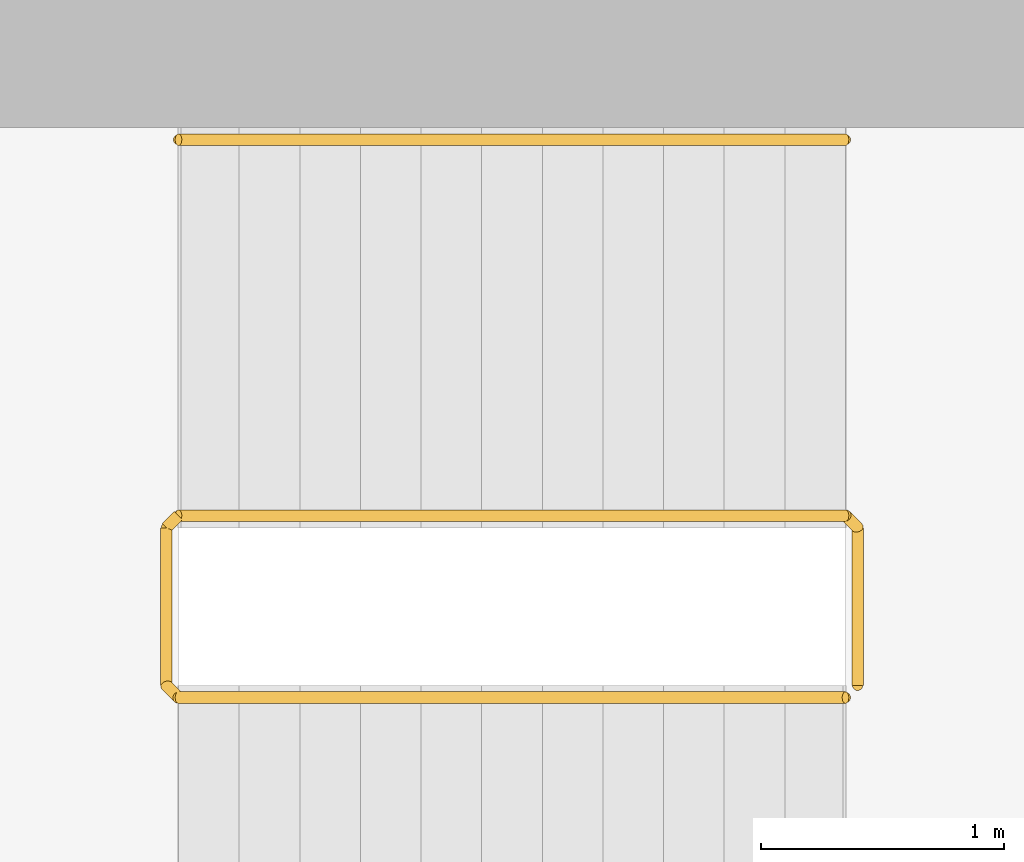
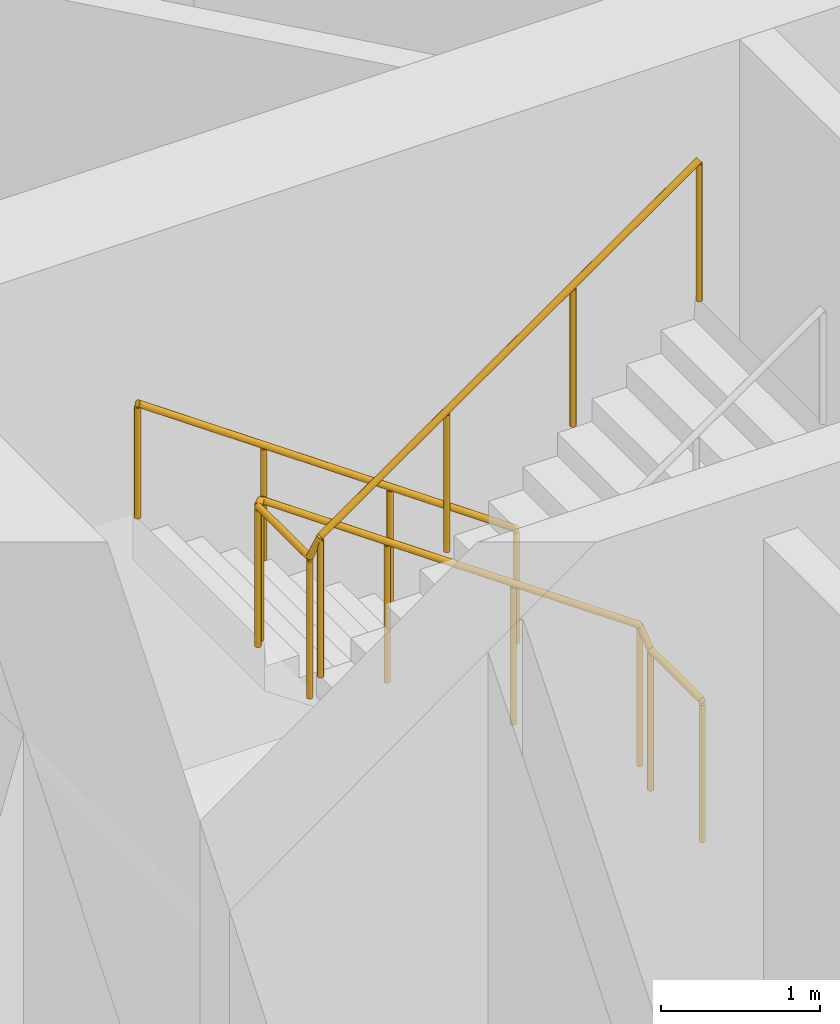
# One storey, part 13 of 13: 2 railings.
"""IFC4 building model written with IfcOpenShell, lengths in metres."""

from ifc_helpers import new_model, si_unit, direction, frame, origin, origin_2d, place, context, subcontext, project, spatial, circle, extrude, material, type_object, element, save


model = new_model("IFC4")

# Units and contexts
model_context = context("Model", 3, precision=1e-05, world=origin(), true_north=direction((0.0, 1.0)))
body_context = subcontext(model_context, "Body", "Model", "MODEL_VIEW")
ifc_project = project(units=[si_unit("LENGTHUNIT", "METRE"), si_unit("AREAUNIT", "SQUARE_METRE"), si_unit("VOLUMEUNIT", "CUBIC_METRE"), si_unit("PLANEANGLEUNIT", "RADIAN"), si_unit("MASSUNIT", "GRAM", prefix="KILO")], contexts=[model_context])

# Site, building, storey
site_placement = place(None, origin())
site = spatial("IfcSite", under=ifc_project, at=site_placement, CompositionType="ELEMENT")
building_placement = place(site_placement, origin())
building = spatial("IfcBuilding", under=site, at=building_placement, Name="Maasbend Ring Residences", CompositionType="ELEMENT")
storey_placement = place(building_placement, frame((0.0, 0.0, 14.10009765625)))
storey = spatial("IfcBuildingStorey", under=building, at=storey_placement, Name="L03", CompositionType="ELEMENT", Elevation=14.10009765625)

# Railings
ifc_material_1 = material(Name="Stainless steel 316", Category="steel")
railing_type_1 = type_object("IfcRailingType", Name="STAIR GUARD 1100", PredefinedType="GUARDRAIL", material=ifc_material_1)
railing_1_placement = place(storey_placement, frame((13.60009765625, 6.300048828125, 0.0)))
element("IfcRailing", 1, at=railing_1_placement, inside=storey, type_object=railing_type_1, Name="L03 ST-E1 stair guard 1", PredefinedType="GUARDRAIL", context=body_context, shape_type="SweptSolid", body=[
    extrude(circle(Radius=0.02392578125, at=origin_2d()), frame((0.0, 0.0, 1.076171875), z_axis=(0.0, 1.0, 0.0), x_axis=(-1.0, 0.0, 0.0)), (0.0, 0.0, 1.0), 0.64990234375),
    extrude(circle(Radius=0.02392578125, at=origin_2d()), frame((0.0, 0.64990234375, 1.076171875), z_axis=(-0.265383341853, 0.265383341853, 0.926899867156), x_axis=(-0.707106781187, -0.707106781187, 0.0)), (0.0, 0.0, 1.0), 0.1884765625),
    extrude(circle(Radius=0.02392578125, at=origin_2d()), frame((-0.050048828125, 0.699951171875, 1.2509765625), z_axis=(-0.819225086817, 0.0, 0.573472106672), x_axis=(0.0, -1.0, 0.0)), (0.0, 0.0, 1.0), 3.35693359375),
    extrude(circle(Radius=0.02392578125, at=origin_2d()), frame((-2.800048828125, 0.699951171875, 3.17578125), z_axis=(-0.707106781187, -0.707106781187, 0.0), x_axis=(0.707106781187, -0.707106781187, 0.0)), (0.0, 0.0, 1.0), 0.07080078125),
    extrude(circle(Radius=0.02392578125, at=origin_2d()), frame((-2.85009765625, 0.64990234375, 3.17578125), z_axis=(0.0, -1.0, 0.0), x_axis=(1.0, 0.0, 0.0)), (0.0, 0.0, 1.0), 0.64990234375),
    extrude(circle(Radius=0.02392578125, at=origin_2d()), frame((-2.85009765625, 0.0, 3.17578125), z_axis=(0.265065253269, -0.265065253269, 0.927081885822), x_axis=(0.707106781187, 0.707106781187, 0.0)), (0.0, 0.0, 1.0), 0.188720703125),
    extrude(circle(Radius=0.02392578125, at=origin_2d()), frame((-2.800048828125, -0.050048828125, 3.35107421875), z_axis=(0.819225086817, 0.0, 0.573472106672), x_axis=(0.0, 1.0, 0.0)), (0.0, 0.0, 1.0), 3.35693359375),
    extrude(circle(Radius=0.02099609375, at=origin_2d()), origin(), (0.0, 0.0, 1.0), 1.052001953125),
    extrude(circle(Radius=0.02099609375, at=origin_2d()), frame((0.0, 0.64990234375, 0.0)), (0.0, 0.0, 1.0), 1.052001953125),
    extrude(circle(Radius=0.02099609375, at=origin_2d()), frame((-0.050048828125, 0.699951171875, 0.1748046875)), (0.0, 0.0, 1.0), 1.052001953125),
    extrude(circle(Radius=0.02099609375, at=origin_2d()), frame((-0.966796875, 0.699951171875, 0.81640625)), (0.0, 0.0, 1.0), 1.052001953125),
    extrude(circle(Radius=0.02099609375, at=origin_2d()), frame((-1.88330078125, 0.699951171875, 1.458251953125)), (0.0, 0.0, 1.0), 1.052001953125),
    extrude(circle(Radius=0.02099609375, at=origin_2d()), frame((-2.800048828125, 0.699951171875, 2.099853515625)), (0.0, 0.0, 1.0), 1.052001953125),
    extrude(circle(Radius=0.02099609375, at=origin_2d()), frame((-2.85009765625, 0.64990234375, 2.099853515625)), (0.0, 0.0, 1.0), 1.052001953125),
    extrude(circle(Radius=0.02099609375, at=origin_2d()), frame((-2.85009765625, 0.0, 2.099853515625)), (0.0, 0.0, 1.0), 1.052001953125),
    extrude(circle(Radius=0.02099609375, at=origin_2d()), frame((-2.800048828125, -0.050048828125, 2.27490234375)), (0.0, 0.0, 1.0), 1.052001953125),
    extrude(circle(Radius=0.02099609375, at=origin_2d()), frame((-1.88330078125, -0.050048828125, 2.91650390625)), (0.0, 0.0, 1.0), 1.052001953125),
    extrude(circle(Radius=0.02099609375, at=origin_2d()), frame((-0.966796875, -0.050048828125, 3.558349609375)), (0.0, 0.0, 1.0), 1.052001953125),
    extrude(circle(Radius=0.02099609375, at=origin_2d()), frame((-0.050048828125, -0.050048828125, 4.199951171875)), (0.0, 0.0, 1.0), 1.052001953125),
])
ifc_material_2 = material(Name="Stainless steel 316", Category="steel")
railing_type_2 = type_object("IfcRailingType", Name="STAIR HANDRAIL 900", PredefinedType="HANDRAIL", material=ifc_material_2)
railing_2_placement = place(storey_placement, frame((13.550048828125, 8.550048828125, 0.1748046875)))
element("IfcRailing", 2, at=railing_2_placement, inside=storey, type_object=railing_type_2, Name="L03 ST-E1 stair handrail 1", PredefinedType="HANDRAIL", context=body_context, shape_type="SweptSolid", body=[
    extrude(circle(Radius=0.02392578125, at=origin_2d()), frame((0.0, 0.0, 0.8759765625), z_axis=(-0.819225086817, 0.0, 0.573472106672), x_axis=(0.0, -1.0, 0.0)), (0.0, 0.0, 1.0), 3.35693359375),
    extrude(circle(Radius=0.02099609375, at=origin_2d()), origin(), (0.0, 0.0, 1.0), 0.851806640625),
    extrude(circle(Radius=0.02099609375, at=origin_2d()), frame((-0.916748046875, 0.0, 0.6416015625)), (0.0, 0.0, 1.0), 0.851806640625),
    extrude(circle(Radius=0.02099609375, at=origin_2d()), frame((-1.833251953125, 0.0, 1.283447265625)), (0.0, 0.0, 1.0), 0.851806640625),
    extrude(circle(Radius=0.02099609375, at=origin_2d()), frame((-2.75, 0.0, 1.925048828125)), (0.0, 0.0, 1.0), 0.851806640625),
])

save(model, "model.ifc")
